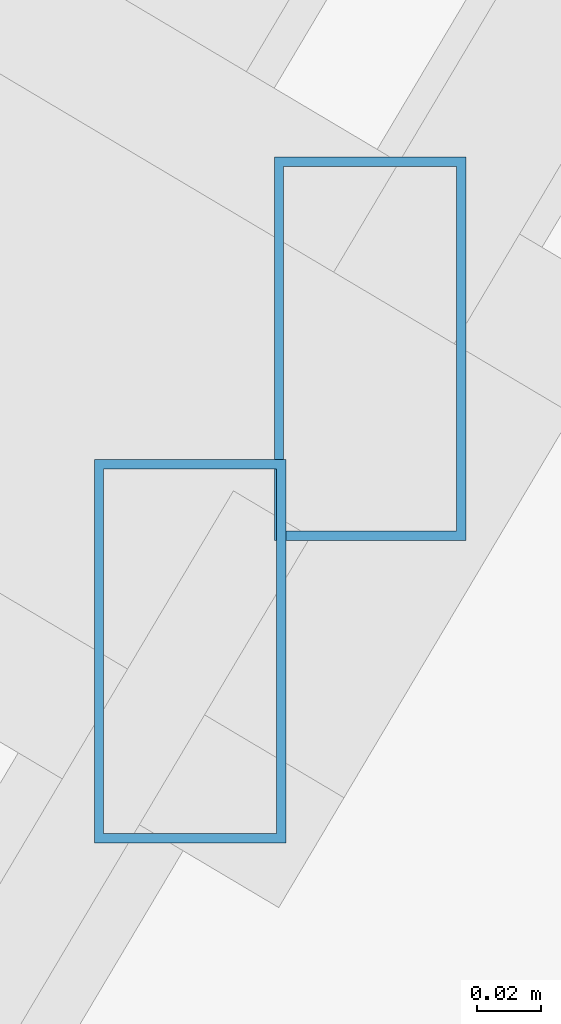
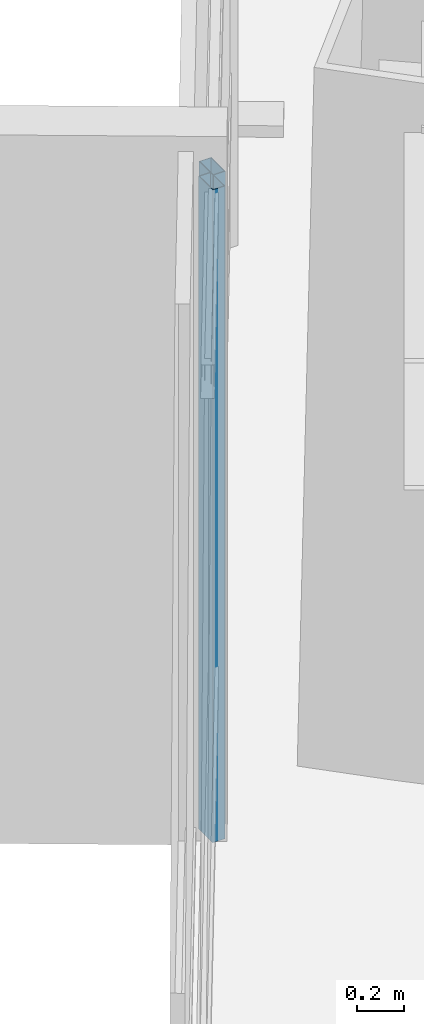
# One storey, part 16 of 47: 2 members, 2 elements without a shape of their own.
"""IFC4 building model written with IfcOpenShell, lengths in metres."""

from ifc_helpers import new_model, si_unit, direction, frame, origin, origin_2d, place, context, subcontext, project, spatial, hollow_rectangle, extrude, source, transform, mapped, material, material_profile, profile_set, type_object, type_shapes, element, aggregate, save


model = new_model("IFC4")

# Units and contexts
model_context = context("Model", 3, precision=1e-05, world=origin(), true_north=direction((0.0, 1.0)))
body_context = subcontext(model_context, "Body", "Model", "MODEL_VIEW")
ifc_project = project(units=[si_unit("LENGTHUNIT", "METRE"), si_unit("AREAUNIT", "SQUARE_METRE"), si_unit("VOLUMEUNIT", "CUBIC_METRE"), si_unit("PLANEANGLEUNIT", "RADIAN"), si_unit("MASSUNIT", "GRAM", prefix="KILO")], contexts=[model_context])

# Site, building, storey
site_placement = place(None, origin())
site = spatial("IfcSite", under=ifc_project, at=site_placement, CompositionType="ELEMENT")
building_placement = place(site_placement, origin())
building = spatial("IfcBuilding", under=site, at=building_placement, Name="Caelisora Broadcast Tower", CompositionType="ELEMENT")
storey_placement = place(building_placement, frame((0.0, 0.0, 229.85009765625)))
storey = spatial("IfcBuildingStorey", under=building, at=storey_placement, Name="L60", CompositionType="ELEMENT", Elevation=229.85009765625)

# Curtain wall, member
ifc_material_1 = material(Name="Unitised Aluminium and Low-E Glass Curtain Wall", Category="glass")
curtain_wall_type_1 = type_object("IfcCurtainWallType", Name="CW-Z5", PredefinedType="NOTDEFINED", material=ifc_material_1)
curtain_wall_1_placement = place(storey_placement, origin())
curtain_wall_1 = element("IfcCurtainWall", 1, at=curtain_wall_1_placement, inside=storey, type_object=curtain_wall_type_1, Name="L60 curtain wall CW-Z5", PredefinedType="NOTDEFINED")
ifc_material_2 = material(Name="Aluminium 6063-T6 Anodised Terracotta Bronze", Category="aluminium")
ifc_material_profile = material_profile(ifc_material_2, hollow_rectangle(XDim=0.06005859375, YDim=0.1201171875, WallThickness=0.0029296875, at=origin_2d()), Name="Aluminium 6063-T6 Anodised Terracotta Bronze")
ifc_profile_set = profile_set([ifc_material_profile], Name="Aluminium 6063-T6 Anodised Terracotta Bronze")
member_type = type_object("IfcMemberType", Name="CWM-04", PredefinedType="MULLION", material=ifc_profile_set)
shared_shape = source(origin(), body_context, "Body", "SweptSolid", [
    extrude(hollow_rectangle(XDim=0.06005859375, YDim=0.1201171875, WallThickness=0.0029296875, at=origin_2d()), origin(), (0.0, 0.0, 1.0), 3.39990234375),
])
type_shapes(member_type, [shared_shape])
member_1_placement = place(storey_placement, frame((20.822021484375, 26.31982421875, 0.0), z_axis=(0.0, 0.0, 1.0), x_axis=(1.0, 0.0, 0.0)))
member_1 = element("IfcMember", 2, at=member_1_placement, type_object=member_type, Name="L60-CW-B09 mullion #3", PredefinedType="MULLION", context=body_context, shape_type="MappedRepresentation", body=[
    mapped(shared_shape, transform((0.0, 0.0, 0.0), scale=1.0)),
])
aggregate(curtain_wall_1, [member_1])

ifc_material_3 = material(Name="Unitised Aluminium Insulated Shadow-Box Spandrel Curtain Wall", Category="aluminium")
curtain_wall_type_2 = type_object("IfcCurtainWallType", Name="CW-SP3", PredefinedType="NOTDEFINED", material=ifc_material_3)
curtain_wall_2_placement = place(storey_placement, origin())
curtain_wall_2 = element("IfcCurtainWall", 3, at=curtain_wall_2_placement, inside=storey, type_object=curtain_wall_type_2, Name="L60 curtain wall CW-SP3", PredefinedType="NOTDEFINED")
member_2_placement = place(storey_placement, frame((20.87841796875, 26.41455078125, 0.0), z_axis=(0.0, 0.0, 1.0), x_axis=(1.0, 0.0, 0.0)))
member_2 = element("IfcMember", 4, at=member_2_placement, type_object=member_type, Name="L60-CW-B10 mullion #0", PredefinedType="MULLION", context=body_context, shape_type="MappedRepresentation", body=[
    mapped(shared_shape, transform((0.0, 0.0, 0.0), scale=1.0)),
])
aggregate(curtain_wall_2, [member_2])

save(model, "model.ifc")
